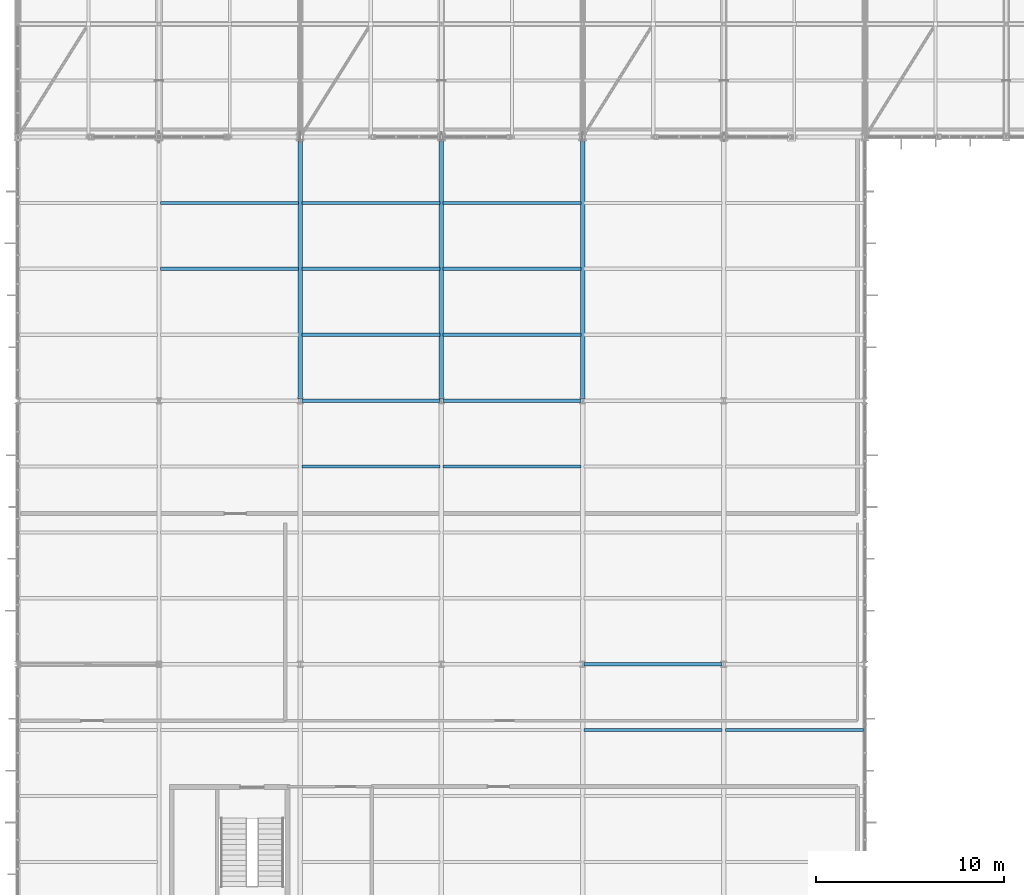
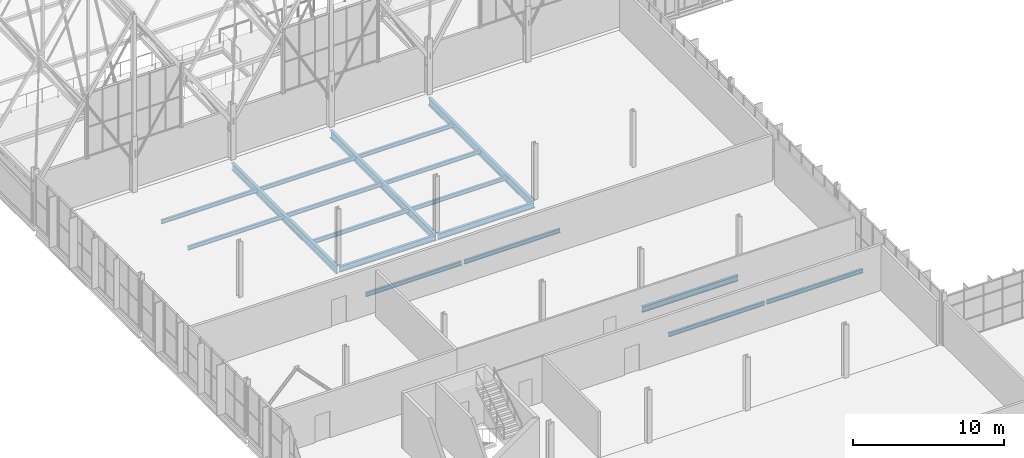
# One storey, part 45 of 324: 18 beams.
"""IFC4 building model written with IfcOpenShell, lengths in metres."""

from ifc_helpers import new_model, si_unit, direction, frame, origin, origin_2d, place, context, subcontext, project, spatial, i_section, extrude, material, material_profile, profile_set, type_object, element, save


model = new_model("IFC4")

# Units and contexts
model_context = context("Model", 3, precision=1e-05, world=origin(), true_north=direction((0.0, 1.0)))
body_context = subcontext(model_context, "Body", "Model", "MODEL_VIEW")
ifc_project = project(units=[si_unit("LENGTHUNIT", "METRE"), si_unit("AREAUNIT", "SQUARE_METRE"), si_unit("VOLUMEUNIT", "CUBIC_METRE"), si_unit("PLANEANGLEUNIT", "RADIAN"), si_unit("MASSUNIT", "GRAM", prefix="KILO")], contexts=[model_context])

# Site, building, storey
site_placement = place(None, origin())
site = spatial("IfcSite", under=ifc_project, at=site_placement, CompositionType="ELEMENT")
building_placement = place(site_placement, origin())
building = spatial("IfcBuilding", under=site, at=building_placement, Name="Solvenia Promenade Tram Depot", CompositionType="ELEMENT")
storey_placement = place(building_placement, frame((0.0, 0.0, 4.5)))
storey = spatial("IfcBuildingStorey", under=building, at=storey_placement, Name="L01", CompositionType="ELEMENT", Elevation=4.5)

# Beams
ifc_material = material(Name="Structural steel ASTM A992 Gr. 50", Category="steel")
ifc_material_profile_1 = material_profile(ifc_material, i_section(OverallWidth=0.19091796875, OverallDepth=0.4599609375, WebThickness=0.010009765625, FlangeThickness=0.01611328125, FilletRadius=0.012939453125, at=origin_2d()), Name="W460x82", Category="steel")
ifc_profile_set_1 = profile_set([ifc_material_profile_1], Name="Structural steel ASTM A992 Gr. 50")
beam_type_1 = type_object("IfcBeamType", Name="Beam-W460x82", PredefinedType="BEAM", material=ifc_profile_set_1)
for number, where, z_axis, x_axis, name in (
    (1, (30.0849609375, 38.0, -0.469970703125), (1.0, 0.0, 0.0), (0.0, 1.0, 0.0), "Primary Girder BM-L01-0221"),
    (2, (15.0849609375, 52.0, -0.469970703125), (1.0, 0.0, 0.0), (0.0, 1.0, 0.0), "Primary Girder BM-L01-0225"),
    (3, (22.5849609375, 52.0, -0.469970703125), (1.0, 0.0, 0.0), (0.0, 1.0, 0.0), "Primary Girder BM-L01-0226"),
):
    element("IfcBeam", number, at=place(storey_placement, frame(where, z_axis=z_axis, x_axis=x_axis)), inside=storey, type_object=beam_type_1, Name=name, PredefinedType="BEAM", context=body_context, shape_type="SweptSolid", body=[
        extrude(i_section(OverallWidth=0.19091796875, OverallDepth=0.4599609375, WebThickness=0.010009765625, FlangeThickness=0.01611328125, FilletRadius=0.012939453125, at=origin_2d()), origin(), (0.0, 0.0, 1.0), 7.330078125),
    ])
ifc_material_profile_2 = material_profile(ifc_material, i_section(OverallWidth=0.22900390625, OverallDepth=0.612060546875, WebThickness=0.011962890625, FlangeThickness=0.01953125, FilletRadius=0.014892578125, at=origin_2d()), Name="W610x125", Category="steel")
ifc_profile_set_2 = profile_set([ifc_material_profile_2], Name="Structural steel ASTM A992 Gr. 50")
beam_type_2 = type_object("IfcBeamType", Name="Gird-W610x125", PredefinedType="BEAM", material=ifc_profile_set_2)
for number, where, z_axis, x_axis, name in (
    (4, (15.0, 52.0849609375, -0.5458984375), (0.0, 1.0, 0.0), (-1.0, 0.0, 0.0), "Transverse Girder BM-L01-0237"),
    (5, (22.5, 52.0849609375, -0.5458984375), (0.0, 1.0, 0.0), (-1.0, 0.0, 0.0), "Transverse Girder BM-L01-0240"),
    (6, (30.0, 52.0849609375, -0.5458984375), (0.0, 1.0, 0.0), (-1.0, 0.0, 0.0), "Transverse Girder BM-L01-0243"),
):
    element("IfcBeam", number, at=place(storey_placement, frame(where, z_axis=z_axis, x_axis=x_axis)), inside=storey, type_object=beam_type_2, Name=name, PredefinedType="BEAM", context=body_context, shape_type="SweptSolid", body=[
        extrude(i_section(OverallWidth=0.22900390625, OverallDepth=0.612060546875, WebThickness=0.011962890625, FlangeThickness=0.01953125, FilletRadius=0.014892578125, at=origin_2d()), origin(), (0.0, 0.0, 1.0), 13.830078125),
    ])
ifc_material_profile_3 = material_profile(ifc_material, i_section(OverallWidth=0.166015625, OverallDepth=0.31298828125, WebThickness=0.006591796875, FlangeThickness=0.01123046875, FilletRadius=0.010009765625, at=origin_2d()), Name="W310x45", Category="steel")
ifc_profile_set_3 = profile_set([ifc_material_profile_3], Name="Structural steel ASTM A992 Gr. 50")
beam_type_3 = type_object("IfcBeamType", Name="Joist-W310x45", PredefinedType="JOIST", material=ifc_profile_set_3)
for number, where, z_axis, x_axis, name in (
    (7, (7.5849609375, 59.0, -0.396484375), (1.0, 0.0, 0.0), (0.0, 1.0, 0.0), "Secondary Floor Joist BM-L01-0264"),
    (8, (7.5849609375, 62.5, -0.396484375), (1.0, 0.0, 0.0), (0.0, 1.0, 0.0), "Secondary Floor Joist BM-L01-0265"),
    (9, (15.0849609375, 48.5, -0.396484375), (1.0, 0.0, 0.0), (0.0, 1.0, 0.0), "Secondary Floor Joist BM-L01-0271"),
    (10, (15.0849609375, 55.5, -0.396484375), (1.0, 0.0, 0.0), (0.0, 1.0, 0.0), "Secondary Floor Joist BM-L01-0272"),
    (11, (15.0849609375, 59.0, -0.396484375), (1.0, 0.0, 0.0), (0.0, 1.0, 0.0), "Secondary Floor Joist BM-L01-0273"),
    (12, (15.0849609375, 62.5, -0.396484375), (1.0, 0.0, 0.0), (0.0, 1.0, 0.0), "Secondary Floor Joist BM-L01-0274"),
    (13, (22.5849609375, 48.5, -0.396484375), (1.0, 0.0, 0.0), (0.0, 1.0, 0.0), "Secondary Floor Joist BM-L01-0280"),
    (14, (22.5849609375, 55.5, -0.396484375), (1.0, 0.0, 0.0), (0.0, 1.0, 0.0), "Secondary Floor Joist BM-L01-0281"),
    (15, (22.5849609375, 59.0, -0.396484375), (1.0, 0.0, 0.0), (0.0, 1.0, 0.0), "Secondary Floor Joist BM-L01-0282"),
    (16, (22.5849609375, 62.5, -0.396484375), (1.0, 0.0, 0.0), (0.0, 1.0, 0.0), "Secondary Floor Joist BM-L01-0283"),
    (17, (30.0849609375, 34.5, -0.396484375), (1.0, 0.0, 0.0), (0.0, 1.0, 0.0), "Secondary Floor Joist BM-L01-0286"),
    (18, (37.5849609375, 34.5, -0.396484375), (1.0, 0.0, 0.0), (0.0, 1.0, 0.0), "Secondary Floor Joist BM-L01-0295"),
):
    element("IfcBeam", number, at=place(storey_placement, frame(where, z_axis=z_axis, x_axis=x_axis)), inside=storey, type_object=beam_type_3, Name=name, PredefinedType="JOIST", context=body_context, shape_type="SweptSolid", body=[
        extrude(i_section(OverallWidth=0.166015625, OverallDepth=0.31298828125, WebThickness=0.006591796875, FlangeThickness=0.01123046875, FilletRadius=0.010009765625, at=origin_2d()), origin(), (0.0, 0.0, 1.0), 7.330078125),
    ])

save(model, "model.ifc")
